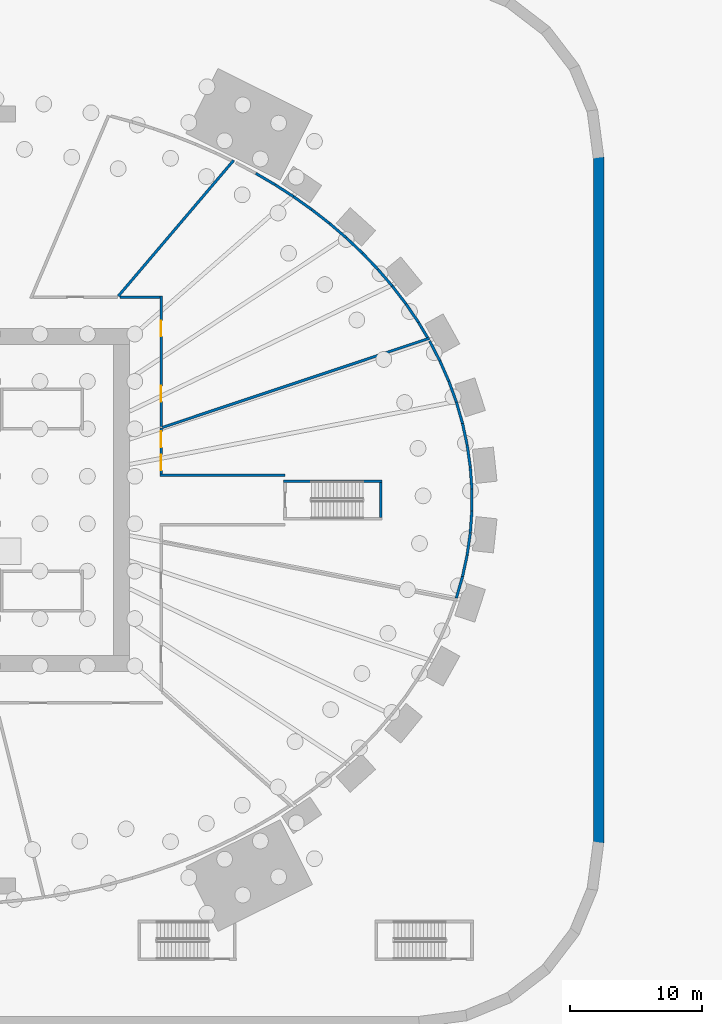
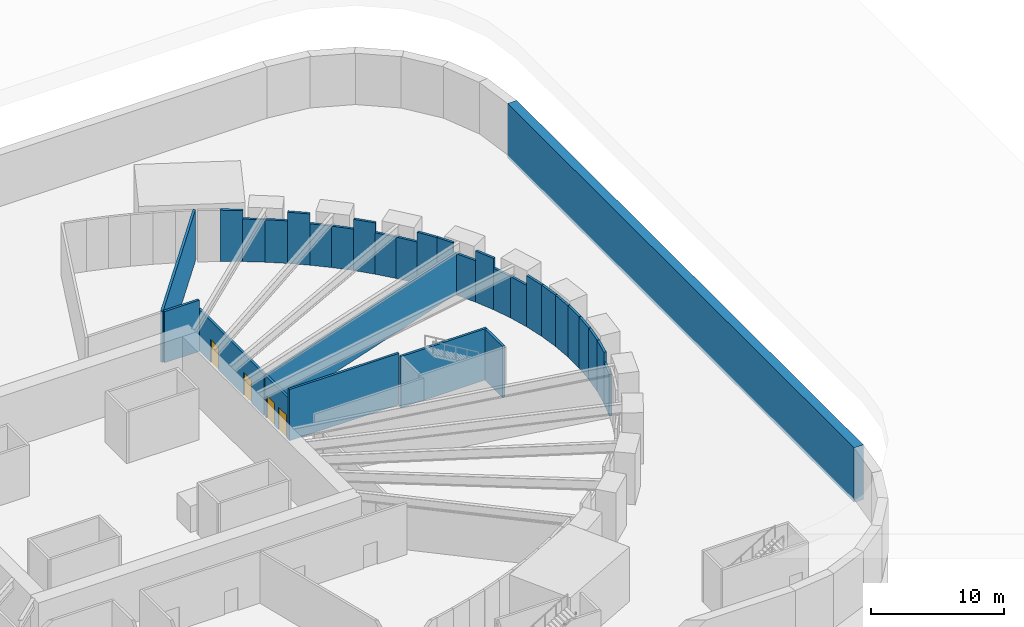
# One storey, part 6 of 14: 32 walls, 4 doors, 4 openings.
"""IFC4 building model written with IfcOpenShell, lengths in metres."""

import ifcopenshell
import ifcopenshell.guid

model = None  # the IFC model being written
_history = None  # IfcOwnerHistory: only IFC2X3 demands one
_inside = {}  # id of a spatial element -> (the spatial element, [elements in it])
_under = {}  # id of a project, library or spatial element -> (it, [spatial elements below it])
_declared = {}  # id of a project -> (the project, [libraries it declares])
_typed = {}  # id of a type object -> (the type object, [elements of that type])
_made_of = {}  # id of a material, layer set ... -> (it, [elements and type objects made of it])


def new_model(schema):
    """Start an empty IFC model of exactly this schema.

    Asked for "IFC4X3", IfcOpenShell would pick the latest addendum, in which some entities
    have other attributes; the version numbers below select the first issue.
    IFC2X3 requires an IfcOwnerHistory on every rooted entity: one is made here for all.
    """
    global model, _history
    if schema == "IFC4X3":
        model = ifcopenshell.file(schema_version=(4, 3, 0, 0))
    else:
        model = ifcopenshell.file(schema=schema)
    _inside.clear()
    _under.clear()
    _declared.clear()
    _typed.clear()
    _made_of.clear()
    _history = None
    if model.schema == "IFC2X3":
        org = make("IfcOrganization", Name="unknown")
        user = make(
            "IfcPersonAndOrganization",
            ThePerson=make("IfcPerson", FamilyName="unknown"),
            TheOrganization=org,
        )
        app = make(
            "IfcApplication",
            ApplicationDeveloper=org,
            Version="unknown",
            ApplicationFullName="unknown",
            ApplicationIdentifier="unknown",
        )
        _history = make(
            "IfcOwnerHistory",
            OwningUser=user,
            OwningApplication=app,
            ChangeAction="ADDED",
            CreationDate=0,
        )
    return model


def make(cls, **values):
    """One entity of the class cls with the attributes given. An attribute that is None is left unset."""
    return model.create_entity(
        cls, **{name: value for name, value in values.items() if value is not None}
    )


def rooted(cls, **values):
    """An entity with a GlobalId (a new one), such as an element, a storey or a relation."""
    return make(cls, GlobalId=ifcopenshell.guid.new(), OwnerHistory=_history, **values)


def si_unit(unit_type, name, prefix=None):
    """IfcSIUnit, for example si_unit("LENGTHUNIT", "METRE", prefix="MILLI")."""
    return make("IfcSIUnit", UnitType=unit_type, Prefix=prefix, Name=name)


def assignment(units):
    """IfcUnitAssignment: the units of a project."""
    return None if units is None else make("IfcUnitAssignment", Units=units)


def point(xyz):
    """IfcCartesianPoint."""
    return None if xyz is None else make("IfcCartesianPoint", Coordinates=xyz)


def direction(xyz):
    """IfcDirection."""
    return None if xyz is None else make("IfcDirection", DirectionRatios=xyz)


def frame(location, z_axis=None, x_axis=None):
    """IfcAxis2Placement3D, a coordinate frame: its origin and axes. An axis left out is left unset."""
    return make(
        "IfcAxis2Placement3D",
        Location=point(location),
        Axis=direction(z_axis),
        RefDirection=direction(x_axis),
    )


def frame_2d(location, x_axis=None):
    """IfcAxis2Placement2D, a coordinate frame in the plane: its origin and x axis."""
    return make(
        "IfcAxis2Placement2D", Location=point(location), RefDirection=direction(x_axis)
    )


def origin():
    """The frame at (0, 0, 0) with its axes left unset."""
    return frame((0.0, 0.0, 0.0))


def place(relative_to, where):
    """IfcLocalPlacement: puts the frame where relative to a parent placement (None: the world)."""
    return make(
        "IfcLocalPlacement", PlacementRelTo=relative_to, RelativePlacement=where
    )


def context(
    kind, dimensions, precision=None, world=None, true_north=None, identifier=None
):
    """IfcGeometricRepresentationContext, for example the 3D "Model" context."""
    return make(
        "IfcGeometricRepresentationContext",
        ContextIdentifier=identifier,
        ContextType=kind,
        CoordinateSpaceDimension=dimensions,
        Precision=precision,
        WorldCoordinateSystem=world,
        TrueNorth=true_north,
    )


def subcontext(parent, identifier, kind, view, scale=None):
    """IfcGeometricRepresentationSubContext, for example "Body" below "Model"."""
    return make(
        "IfcGeometricRepresentationSubContext",
        ContextIdentifier=identifier,
        ContextType=kind,
        ParentContext=parent,
        TargetScale=scale,
        TargetView=view,
    )


def project(units=None, contexts=None):
    """IfcProject with its units and contexts."""
    return rooted(
        "IfcProject",
        Name="project",
        RepresentationContexts=contexts,
        UnitsInContext=assignment(units),
    )


def spatial(cls, under=None, at=None, **own):
    """A site, building, storey or space (cls), placed at a placement, below another one or the project."""
    s = rooted(cls, ObjectPlacement=at, **own)
    if under is not None:
        _under.setdefault(under.id(), (under, []))[1].append(s)
    return s


def profile(cls, at=None, kind="AREA", **sizes):
    """A parametric profile (cls). Its sizes go by their IFC names, for example OverallWidth=200.0."""
    return make(cls, ProfileType=kind, Position=at, **sizes)


def rectangle(**sizes):
    """IfcRectangleProfileDef."""
    return profile("IfcRectangleProfileDef", **sizes)


def extrude(swept, where, along, depth):
    """IfcExtrudedAreaSolid: the profile swept, set in the frame where, extruded along a direction by depth."""
    return make(
        "IfcExtrudedAreaSolid",
        SweptArea=swept,
        Position=where,
        ExtrudedDirection=direction(along),
        Depth=depth,
    )


def shape(context_of_items, identifier, shape_type, items):
    """IfcShapeRepresentation: the items that make up one representation, for example the "Body"."""
    return make(
        "IfcShapeRepresentation",
        ContextOfItems=context_of_items,
        RepresentationIdentifier=identifier,
        RepresentationType=shape_type,
        Items=items,
    )


def source(mapping_origin, context_of_items, identifier, shape_type, items):
    """IfcRepresentationMap: a shape defined once, which mapped items show again and again."""
    return make(
        "IfcRepresentationMap",
        MappingOrigin=mapping_origin,
        MappedRepresentation=shape(context_of_items, identifier, shape_type, items),
    )


def transform(
    local_origin,
    x_axis=None,
    y_axis=None,
    z_axis=None,
    scale=None,
    scale2=None,
    scale3=None,
    uniform=True,
):
    """IfcCartesianTransformationOperator3D, or its non-uniform kind. x_axis, y_axis, z_axis: its Axis1, 2, 3."""
    if uniform:
        return make(
            "IfcCartesianTransformationOperator3D",
            Axis1=direction(x_axis),
            Axis2=direction(y_axis),
            LocalOrigin=point(local_origin),
            Scale=scale,
            Axis3=direction(z_axis),
        )
    return make(
        "IfcCartesianTransformationOperator3DnonUniform",
        Axis1=direction(x_axis),
        Axis2=direction(y_axis),
        LocalOrigin=point(local_origin),
        Scale=scale,
        Axis3=direction(z_axis),
        Scale2=scale2,
        Scale3=scale3,
    )


def mapped(mapping_source, mapping_target):
    """IfcMappedItem: shows the shape of a source again, moved by a transform."""
    return make(
        "IfcMappedItem", MappingSource=mapping_source, MappingTarget=mapping_target
    )


def material(Name=None, Category=None):
    """IfcMaterial."""
    return make("IfcMaterial", Name=Name, Category=Category)


def layer(
    of_material, thickness, ventilated=None, Name=None, Category=None, Priority=None
):
    """IfcMaterialLayer: one layer of a wall or slab, of a material (None: an air gap)."""
    return make(
        "IfcMaterialLayer",
        Material=of_material,
        LayerThickness=thickness,
        IsVentilated=ventilated,
        Name=Name,
        Category=Category,
        Priority=Priority,
    )


def layer_set(layers, Name=None):
    """IfcMaterialLayerSet."""
    return make("IfcMaterialLayerSet", MaterialLayers=layers, LayerSetName=Name)


def made_of(thing, what):
    """Note that an element or type object is made of a material, layer set ...; save() writes the relation."""
    if what is not None:
        _made_of.setdefault(what.id(), (what, []))[1].append(thing)
    return thing


def type_object(cls, material=None, **own):
    """A type object (cls), such as IfcWallType, which elements share."""
    return made_of(rooted(cls, **own), material)


def element(
    cls,
    number,
    at=None,
    inside=None,
    cuts=None,
    type_object=None,
    material=None,
    context=None,
    identifier="Body",
    shape_type=None,
    held_by="IfcProductDefinitionShape",
    body=None,
    shapes=None,
    **own,
):
    """One element of the class cls, such as IfcWall. Its Tag is "e" and its number.

    at: its placement. inside: the storey or other place that contains it. cuts: it is an
    opening in that element (IfcRelVoidsElement). A single representation is given by context,
    identifier, shape_type and body (its items); several are given by shapes. held_by: the class
    of the entity that holds the representations. save() writes the other relations.
    """
    e = rooted(cls, Tag="e%d" % number, ObjectPlacement=at, **own)
    if body is not None:
        shapes = [shape(context, identifier, shape_type, body)]
    if shapes is not None:
        e.Representation = make(held_by, Representations=shapes)
    if inside is not None:
        _inside.setdefault(inside.id(), (inside, []))[1].append(e)
    if cuts is not None:
        rooted(
            "IfcRelVoidsElement", RelatingBuildingElement=cuts, RelatedOpeningElement=e
        )
    if type_object is not None:
        _typed.setdefault(type_object.id(), (type_object, []))[1].append(e)
    return made_of(e, material)


def fill(opening, filler):
    """IfcRelFillsElement: the door or window that sits in an opening."""
    return rooted(
        "IfcRelFillsElement",
        RelatingOpeningElement=opening,
        RelatedBuildingElement=filler,
    )


def aggregate(whole, parts):
    """IfcRelAggregates: a whole, such as a stair, and the parts it consists of."""
    return rooted("IfcRelAggregates", RelatingObject=whole, RelatedObjects=parts)


def save(model, path):
    """Write the relations noted so far, then the file.

    IfcRelAggregates (storeys below a building ...), IfcRelContainedInSpatialStructure (elements
    in a storey), IfcRelDefinesByType, IfcRelAssociatesMaterial and IfcRelDeclares: one each for
    every whole, place, type object, material and project.
    """
    for whole, parts in _under.values():
        aggregate(whole, parts)
    for where, things in _inside.values():
        rooted(
            "IfcRelContainedInSpatialStructure",
            RelatedElements=things,
            RelatingStructure=where,
        )
    for kind, things in _typed.values():
        rooted("IfcRelDefinesByType", RelatedObjects=things, RelatingType=kind)
    for what, things in _made_of.values():
        rooted("IfcRelAssociatesMaterial", RelatedObjects=things, RelatingMaterial=what)
    for by, libraries in _declared.values():
        rooted("IfcRelDeclares", RelatingContext=by, RelatedDefinitions=libraries)
    model.write(path)


model = new_model("IFC4")

# Units and contexts
model_context = context("Model", 3, precision=1e-05, world=origin(), true_north=direction((0.0, 1.0)))
body_context = subcontext(model_context, "Body", "Model", "MODEL_VIEW")
ifc_project = project(units=[si_unit("LENGTHUNIT", "METRE"), si_unit("AREAUNIT", "SQUARE_METRE"), si_unit("VOLUMEUNIT", "CUBIC_METRE"), si_unit("PLANEANGLEUNIT", "RADIAN"), si_unit("MASSUNIT", "GRAM", prefix="KILO")], contexts=[model_context])

# Site, building, storey
site_placement = place(None, origin())
site = spatial("IfcSite", under=ifc_project, at=site_placement, CompositionType="ELEMENT")
building_placement = place(site_placement, origin())
building = spatial("IfcBuilding", under=site, at=building_placement, Name="Embergate Tower", CompositionType="ELEMENT")
storey_placement = place(building_placement, frame((0.0, 0.0, -10.0)))
storey = spatial("IfcBuildingStorey", under=building, at=storey_placement, Name="B2", CompositionType="ELEMENT", Elevation=-10.0)

# Walls
ifc_material_1 = material(Name="Concrete C40", Category="concrete")
ifc_layer_1 = layer(ifc_material_1, 0.800048828125)
ifc_layer_set_1 = layer_set([ifc_layer_1], Name="Concrete C40")
wall_type_1 = type_object("IfcWallType", Name="Basement retaining wall C40 800", PredefinedType="SOLIDWALL", material=ifc_layer_set_1)
shared_shape_1 = source(origin(), body_context, "Body", "SweptSolid", [
    extrude(rectangle(XDim=52.0517578125, YDim=0.800048828125, at=frame_2d((26.02587890625, 0.0))), origin(), (0.0, 0.0, 1.0), 5.0),
])
wall_1_placement = place(storey_placement, frame((49.60009765625, -26.02587890625, -0.300048828125), z_axis=(0.0, 0.0, 1.0), x_axis=(0.0, 1.0, 0.0)))
element("IfcWall", 1, at=wall_1_placement, inside=storey, type_object=wall_type_1, Name="RWL-B2-027", PredefinedType="SOLIDWALL", context=body_context, shape_type="MappedRepresentation", body=[
    mapped(shared_shape_1, transform((0.0, 0.0, 0.0))),
])
ifc_layer_2 = layer(ifc_material_1, 0.199951171875)
ifc_layer_set_2 = layer_set([ifc_layer_2], Name="Concrete C40")
wall_type_2 = type_object("IfcWallType", Name="Stair enclosure wall RC 200", PredefinedType="STANDARD", material=ifc_layer_set_2)
shared_shape_2 = source(origin(), body_context, "Body", "SweptSolid", [
    extrude(rectangle(XDim=2.64990234375, YDim=0.199951171875, at=frame_2d((1.324951171875, 0.0))), origin(), (0.0, 0.0, 1.0), 4.699951171875),
])
wall_2_placement = place(storey_placement, frame((33.070068359375, 1.324951171875, 0.0), z_axis=(0.0, 0.0, 1.0), x_axis=(0.0, -1.0, 0.0)))
element("IfcWall", 2, at=wall_2_placement, inside=storey, type_object=wall_type_2, Name="Stair wall 150", PredefinedType="STANDARD", context=body_context, shape_type="MappedRepresentation", body=[
    mapped(shared_shape_2, transform((0.0, 0.0, 0.0))),
])
ifc_material_2 = material(Name="Blockwork, plastered", Category="masonry")
ifc_layer_3 = layer(ifc_material_2, 0.199951171875)
ifc_layer_set_3 = layer_set([ifc_layer_3], Name="Blockwork, plastered")
wall_type_3 = type_object("IfcWallType", Name="Fire partition wall 200 block", PredefinedType="PARTITIONING", material=ifc_layer_set_3)
shared_shape_3 = source(origin(), body_context, "Body", "SweptSolid", [
    extrude(rectangle(XDim=1.68212890625, YDim=0.199951171875, at=frame_2d((0.841064453125, 0.0))), origin(), (0.0, 0.0, 1.0), 4.699951171875),
])
wall_3_placement = place(storey_placement, frame((39.985107421875, 0.841064453125, 0.0), z_axis=(0.0, 0.0, 1.0), x_axis=(0.0, -1.0, 0.0)))
element("IfcWall", 3, at=wall_3_placement, inside=storey, type_object=wall_type_3, Name="Partition 172", PredefinedType="PARTITIONING", context=body_context, shape_type="MappedRepresentation", body=[
    mapped(shared_shape_3, transform((0.0, 0.0, 0.0))),
])
shared_shape_4 = source(origin(), body_context, "Body", "SweptSolid", [
    extrude(rectangle(XDim=1.682373046875, YDim=0.199951171875, at=frame_2d((0.84130859375, 0.0))), origin(), (0.0, 0.0, 1.0), 4.699951171875),
])
for number, where, z_axis, x_axis, name in (
    (4, (39.864990234375, 2.51904296875, 0.0), (0.0, 0.0, 1.0), (0.071401751452, -0.997447637668, 0.0), "Partition 170"),
    (5, (39.985107421875, -0.841064453125, 0.0), (0.0, 0.0, 1.0), (-0.071401751452, -0.997447637668, 0.0), "Partition 171"),
):
    element("IfcWall", number, at=place(storey_placement, frame(where, z_axis=z_axis, x_axis=x_axis)), inside=storey, type_object=wall_type_3, Name=name, PredefinedType="PARTITIONING", context=body_context, shape_type="MappedRepresentation", body=[
        mapped(shared_shape_4, transform((0.0, 0.0, 0.0))),
    ])
shared_shape_5 = source(origin(), body_context, "Body", "SweptSolid", [
    extrude(rectangle(XDim=1.673828125, YDim=0.199951171875, at=frame_2d((0.8369140625, 0.0))), origin(), (0.0, 0.0, 1.0), 4.699951171875),
])
for number, where, z_axis, x_axis, name in (
    (6, (39.6279296875, 4.176025390625, 0.0), (0.0, 0.0, 1.0), (0.141625550727, -0.98992030153, 0.0), "Partition 168"),
    (7, (39.864990234375, -2.51904296875, 0.0), (0.0, 0.0, 1.0), (-0.141625550727, -0.98992030153, 0.0), "Partition 169"),
):
    element("IfcWall", number, at=place(storey_placement, frame(where, z_axis=z_axis, x_axis=x_axis)), inside=storey, type_object=wall_type_3, Name=name, PredefinedType="PARTITIONING", context=body_context, shape_type="MappedRepresentation", body=[
        mapped(shared_shape_5, transform((0.0, 0.0, 0.0))),
    ])
shared_shape_6 = source(origin(), body_context, "Body", "SweptSolid", [
    extrude(rectangle(XDim=1.681640625, YDim=0.199951171875, at=frame_2d((0.8408203125, 0.0))), origin(), (0.0, 0.0, 1.0), 4.699951171875),
])
for number, where, z_axis, x_axis, name in (
    (8, (39.27392578125, 5.820068359375, 0.0), (0.0, 0.0, 1.0), (0.210500580909, -0.977593732303, 0.0), "Partition 166"),
    (9, (39.6279296875, -4.176025390625, 0.0), (0.0, 0.0, 1.0), (-0.210500580909, -0.977593732303, 0.0), "Partition 167"),
):
    element("IfcWall", number, at=place(storey_placement, frame(where, z_axis=z_axis, x_axis=x_axis)), inside=storey, type_object=wall_type_3, Name=name, PredefinedType="PARTITIONING", context=body_context, shape_type="MappedRepresentation", body=[
        mapped(shared_shape_6, transform((0.0, 0.0, 0.0))),
    ])
shared_shape_7 = source(origin(), body_context, "Body", "SweptSolid", [
    extrude(rectangle(XDim=1.693359375, YDim=0.199951171875, at=frame_2d((0.8466796875, 0.0))), origin(), (0.0, 0.0, 1.0), 3.800048828125),
])
for number, where, z_axis, x_axis, name in (
    (10, (38.803955078125, 7.447021484375, 0.0), (0.0, 0.0, 1.0), (0.277518954401, -0.960720162143, 0.0), "Partition 164"),
    (11, (39.27392578125, -5.820068359375, 0.0), (0.0, 0.0, 1.0), (-0.277518954401, -0.960720162143, 0.0), "Partition 165"),
):
    element("IfcWall", number, at=place(storey_placement, frame(where, z_axis=z_axis, x_axis=x_axis)), inside=storey, type_object=wall_type_3, Name=name, PredefinedType="PARTITIONING", context=body_context, shape_type="MappedRepresentation", body=[
        mapped(shared_shape_7, transform((0.0, 0.0, 0.0))),
    ])
shared_shape_8 = source(origin(), body_context, "Body", "SweptSolid", [
    extrude(rectangle(XDim=1.66650390625, YDim=0.199951171875, at=frame_2d((0.833251953125, 0.0))), origin(), (0.0, 0.0, 1.0), 3.800048828125),
])
wall_4_placement = place(storey_placement, frame((38.236083984375, 9.013916015625, 0.0), z_axis=(0.0, 0.0, 1.0), x_axis=(0.340731348686, -0.940160703296, 0.0)))
element("IfcWall", 12, at=wall_4_placement, inside=storey, type_object=wall_type_3, Name="Partition 162", PredefinedType="PARTITIONING", context=body_context, shape_type="MappedRepresentation", body=[
    mapped(shared_shape_8, transform((0.0, 0.0, 0.0))),
])
shared_shape_9 = source(origin(), body_context, "Body", "SweptSolid", [
    extrude(rectangle(XDim=1.68408203125, YDim=0.199951171875, at=frame_2d((0.842041015625, 0.0))), origin(), (0.0, 0.0, 1.0), 4.699951171875),
])
wall_5_placement = place(storey_placement, frame((37.55908203125, 10.555908203125, 0.0), z_axis=(0.0, 0.0, 1.0), x_axis=(0.402004884465, -0.91563752264, 0.0)))
element("IfcWall", 13, at=wall_5_placement, inside=storey, type_object=wall_type_3, Name="Partition 160", PredefinedType="PARTITIONING", context=body_context, shape_type="MappedRepresentation", body=[
    mapped(shared_shape_9, transform((0.0, 0.0, 0.0))),
])
shared_shape_10 = source(origin(), body_context, "Body", "SweptSolid", [
    extrude(rectangle(XDim=1.703369140625, YDim=0.199951171875, at=frame_2d((0.8515625, 0.0))), origin(), (0.0, 0.0, 1.0), 3.800048828125),
])
wall_6_placement = place(storey_placement, frame((36.777099609375, 12.069091796875, 0.0), z_axis=(0.0, 0.0, 1.0), x_axis=(0.459099243657, -0.888384986632, 0.0)))
element("IfcWall", 14, at=wall_6_placement, inside=storey, type_object=wall_type_3, Name="Partition 158", PredefinedType="PARTITIONING", context=body_context, shape_type="MappedRepresentation", body=[
    mapped(shared_shape_10, transform((0.0, 0.0, 0.0))),
])
shared_shape_11 = source(origin(), body_context, "Body", "SweptSolid", [
    extrude(rectangle(XDim=1.686767578125, YDim=0.199951171875, at=frame_2d((0.84326171875, 0.0))), origin(), (0.0, 0.0, 1.0), 4.699951171875),
])
wall_7_placement = place(storey_placement, frame((34.97607421875, 14.89306640625, 0.0), z_axis=(0.0, 0.0, 1.0), x_axis=(0.562060565022, -0.827096077398, 0.0)))
element("IfcWall", 15, at=wall_7_placement, inside=storey, type_object=wall_type_3, Name="Partition 154", PredefinedType="PARTITIONING", context=body_context, shape_type="MappedRepresentation", body=[
    mapped(shared_shape_11, transform((0.0, 0.0, 0.0))),
])
shared_shape_12 = source(origin(), body_context, "Body", "SweptSolid", [
    extrude(rectangle(XDim=1.7080078125, YDim=0.199951171875, at=frame_2d((0.85400390625, 0.0))), origin(), (0.0, 0.0, 1.0), 3.800048828125),
])
wall_8_placement = place(storey_placement, frame((33.93603515625, 16.248046875, 0.0), z_axis=(0.0, 0.0, 1.0), x_axis=(0.608881540083, -0.793261161375, 0.0)))
element("IfcWall", 16, at=wall_8_placement, inside=storey, type_object=wall_type_3, Name="Partition 152", PredefinedType="PARTITIONING", context=body_context, shape_type="MappedRepresentation", body=[
    mapped(shared_shape_12, transform((0.0, 0.0, 0.0))),
])
shared_shape_13 = source(origin(), body_context, "Body", "SweptSolid", [
    extrude(rectangle(XDim=7.469970703125, YDim=0.199951171875, at=frame_2d((3.73486328125, 0.0))), origin(), (0.0, 0.0, 1.0), 4.699951171875),
])
wall_9_placement = place(storey_placement, frame((25.699951171875, 1.425048828125, 0.0), z_axis=(0.0, 0.0, 1.0), x_axis=(1.0, 0.0, 0.0)))
element("IfcWall", 17, at=wall_9_placement, inside=storey, type_object=wall_type_2, Name="Stair wall 133", PredefinedType="STANDARD", context=body_context, shape_type="MappedRepresentation", body=[
    mapped(shared_shape_13, transform((0.0, 0.0, 0.0))),
])
shared_shape_14 = source(origin(), body_context, "Body", "SweptSolid", [
    extrude(rectangle(XDim=1.665771484375, YDim=0.199951171875, at=frame_2d((0.8330078125, 0.0))), origin(), (0.0, 0.0, 1.0), 3.800048828125),
])
wall_10_placement = place(storey_placement, frame((32.85107421875, 17.511962890625, 0.0), z_axis=(0.0, 0.0, 1.0), x_axis=(0.651346432012, -0.758780485717, 0.0)))
element("IfcWall", 18, at=wall_10_placement, inside=storey, type_object=wall_type_3, Name="Partition 148", PredefinedType="PARTITIONING", context=body_context, shape_type="MappedRepresentation", body=[
    mapped(shared_shape_14, transform((0.0, 0.0, 0.0))),
])
shared_shape_15 = source(origin(), body_context, "Body", "SweptSolid", [
    extrude(rectangle(XDim=1.68896484375, YDim=0.199951171875, at=frame_2d((0.844482421875, 0.0))), origin(), (0.0, 0.0, 1.0), 4.699951171875),
])
wall_11_placement = place(storey_placement, frame((31.68505859375, 18.73388671875, 0.0), z_axis=(0.0, 0.0, 1.0), x_axis=(0.690362287373, -0.723463829209, 0.0)))
element("IfcWall", 19, at=wall_11_placement, inside=storey, type_object=wall_type_3, Name="Partition 143", PredefinedType="PARTITIONING", context=body_context, shape_type="MappedRepresentation", body=[
    mapped(shared_shape_15, transform((0.0, 0.0, 0.0))),
])
shared_shape_16 = source(origin(), body_context, "Body", "SweptSolid", [
    extrude(rectangle(XDim=1.711181640625, YDim=0.199951171875, at=frame_2d((0.85546875, 0.0))), origin(), (0.0, 0.0, 1.0), 3.800048828125),
])
wall_12_placement = place(storey_placement, frame((30.443115234375, 19.910888671875, 0.0), z_axis=(0.0, 0.0, 1.0), x_axis=(0.725828944037, -0.687875238687, 0.0)))
element("IfcWall", 20, at=wall_12_placement, inside=storey, type_object=wall_type_3, Name="Partition 141", PredefinedType="PARTITIONING", context=body_context, shape_type="MappedRepresentation", body=[
    mapped(shared_shape_16, transform((0.0, 0.0, 0.0))),
])
shared_shape_17 = source(origin(), body_context, "Body", "SweptSolid", [
    extrude(rectangle(XDim=1.669677734375, YDim=0.199951171875, at=frame_2d((0.8349609375, 0.0))), origin(), (0.0, 0.0, 1.0), 3.800048828125),
])
wall_13_placement = place(storey_placement, frame((29.176025390625, 20.998046875, 0.0), z_axis=(0.0, 0.0, 1.0), x_axis=(0.75893652375, -0.651164612766, 0.0)))
element("IfcWall", 21, at=wall_13_placement, inside=storey, type_object=wall_type_3, Name="Partition 139", PredefinedType="PARTITIONING", context=body_context, shape_type="MappedRepresentation", body=[
    mapped(shared_shape_17, transform((0.0, 0.0, 0.0))),
])
shared_shape_18 = source(origin(), body_context, "Body", "SweptSolid", [
    extrude(rectangle(XDim=1.68994140625, YDim=0.199951171875, at=frame_2d((0.844970703125, 0.0))), origin(), (0.0, 0.0, 1.0), 4.699951171875),
])
wall_14_placement = place(storey_placement, frame((27.843994140625, 22.0380859375, 0.0), z_axis=(0.0, 0.0, 1.0), x_axis=(0.788199556762, -0.6154197419, 0.0)))
element("IfcWall", 22, at=wall_14_placement, inside=storey, type_object=wall_type_3, Name="Partition 137", PredefinedType="PARTITIONING", context=body_context, shape_type="MappedRepresentation", body=[
    mapped(shared_shape_18, transform((0.0, 0.0, 0.0))),
])
shared_shape_19 = source(origin(), body_context, "Body", "SweptSolid", [
    extrude(rectangle(XDim=1.71142578125, YDim=0.199951171875, at=frame_2d((0.855712890625, 0.0))), origin(), (0.0, 0.0, 1.0), 3.89990234375),
])
wall_15_placement = place(storey_placement, frame((26.447998046875, 23.028076171875, 0.0), z_axis=(0.0, 0.0, 1.0), x_axis=(0.81570474183, -0.578468472914, 0.0)))
element("IfcWall", 23, at=wall_15_placement, inside=storey, type_object=wall_type_3, Name="Partition 135", PredefinedType="PARTITIONING", context=body_context, shape_type="MappedRepresentation", body=[
    mapped(shared_shape_19, transform((0.0, 0.0, 0.0))),
])
shared_shape_20 = source(origin(), body_context, "Body", "SweptSolid", [
    extrude(rectangle(XDim=1.6728515625, YDim=0.199951171875, at=frame_2d((0.83642578125, 0.0))), origin(), (0.0, 0.0, 1.0), 3.89990234375),
])
wall_16_placement = place(storey_placement, frame((25.04296875, 23.93603515625, 0.0), z_axis=(0.0, 0.0, 1.0), x_axis=(0.83989108096, -0.542754983508, 0.0)))
element("IfcWall", 24, at=wall_16_placement, inside=storey, type_object=wall_type_3, Name="Partition 130", PredefinedType="PARTITIONING", context=body_context, shape_type="MappedRepresentation", body=[
    mapped(shared_shape_20, transform((0.0, 0.0, 0.0))),
])
shared_shape_21 = source(origin(), body_context, "Body", "SweptSolid", [
    extrude(rectangle(XDim=9.5, YDim=0.199951171875, at=frame_2d((4.75, 0.0))), origin(), (0.0, 0.0, 1.0), 4.699951171875),
])
wall_17_placement = place(storey_placement, frame((16.300048828125, 1.875, 0.0), z_axis=(0.0, 0.0, 1.0), x_axis=(1.0, 0.0, 0.0)))
element("IfcWall", 25, at=wall_17_placement, inside=storey, type_object=wall_type_3, Name="Partition 114", PredefinedType="PARTITIONING", context=body_context, shape_type="MappedRepresentation", body=[
    mapped(shared_shape_21, transform((0.0, 0.0, 0.0))),
])
shared_shape_22 = source(origin(), body_context, "Body", "SweptSolid", [
    extrude(rectangle(XDim=1.691162109375, YDim=0.199951171875, at=frame_2d((0.845703125, 0.0))), origin(), (0.0, 0.0, 1.0), 4.699951171875),
])
wall_18_placement = place(storey_placement, frame((23.5849609375, 24.79296875, 0.0), z_axis=(0.0, 0.0, 1.0), x_axis=(0.862119710522, -0.506704652366, 0.0)))
element("IfcWall", 26, at=wall_18_placement, inside=storey, type_object=wall_type_3, Name="Partition 128", PredefinedType="PARTITIONING", context=body_context, shape_type="MappedRepresentation", body=[
    mapped(shared_shape_22, transform((0.0, 0.0, 0.0))),
])
shared_shape_23 = source(origin(), body_context, "Body", "SweptSolid", [
    extrude(rectangle(XDim=3.01806640625, YDim=0.199951171875, at=frame_2d((1.509033203125, 0.0))), origin(), (0.0, 0.0, 1.0), 4.699951171875),
])
wall_19_placement = place(storey_placement, frame((13.281982421875, 15.39990234375, 0.0), z_axis=(0.0, 0.0, 1.0), x_axis=(1.0, 0.0, 0.0)))
element("IfcWall", 27, at=wall_19_placement, inside=storey, type_object=wall_type_3, Name="Partition 100", PredefinedType="PARTITIONING", context=body_context, shape_type="MappedRepresentation", body=[
    mapped(shared_shape_23, transform((0.0, 0.0, 0.0))),
])
shared_shape_24 = source(origin(), body_context, "Body", "SweptSolid", [
    extrude(rectangle(XDim=13.530517578125, YDim=0.199951171875, at=frame_2d((6.76513671875, 0.0))), origin(), (0.0, 0.0, 1.0), 4.699951171875),
])
wall_20_placement = place(storey_placement, frame((13.14697265625, 15.47607421875, 0.0), z_axis=(0.0, 0.0, 1.0), x_axis=(0.647425268741, 0.762128940138, 0.0)))
element("IfcWall", 28, at=wall_20_placement, inside=storey, type_object=wall_type_3, Name="Partition 101", PredefinedType="PARTITIONING", context=body_context, shape_type="MappedRepresentation", body=[
    mapped(shared_shape_24, transform((0.0, 0.0, 0.0))),
])

# Wall, openings, doors
shared_shape_25 = source(origin(), body_context, "Body", "SweptSolid", [
    extrude(rectangle(XDim=3.5009765625, YDim=0.199951171875, at=frame_2d((1.75048828125, 0.0))), origin(), (0.0, 0.0, 1.0), 3.800048828125),
])
wall_21_placement = place(storey_placement, frame((16.39990234375, 5.47607421875, 0.0), z_axis=(0.0, 0.0, 1.0), x_axis=(0.0, -1.0, 0.0)))
wall_21 = element("IfcWall", 29, at=wall_21_placement, inside=storey, type_object=wall_type_3, Name="Partition 115", PredefinedType="PARTITIONING", context=body_context, shape_type="MappedRepresentation", body=[
    mapped(shared_shape_25, transform((0.0, 0.0, 0.0))),
])
shared_shape_26 = source(origin(), body_context, "Body", "SweptSolid", [
    extrude(rectangle(XDim=1.199951171875, YDim=2.10009765625, at=frame_2d((0.60009765625, 1.050048828125))), frame((0.0, 0.10986328125, 0.0), z_axis=(0.0, -1.0, 0.0), x_axis=(1.0, 0.0, 0.0)), (0.0, 0.0, 1.0), 0.219970703125),
])
opening_1_placement = place(wall_21_placement, frame((0.27490234375, 0.0, 0.0)))
opening_1 = element("IfcOpeningElement", 30, at=opening_1_placement, cuts=wall_21, Name="Opening DS-331", PredefinedType="OPENING", context=body_context, shape_type="MappedRepresentation", body=[
    mapped(shared_shape_26, transform((0.0, 0.0, 0.0))),
])
opening_2_placement = place(wall_21_placement, frame((2.02587890625, 0.0, 0.0)))
opening_2 = element("IfcOpeningElement", 31, at=opening_2_placement, cuts=wall_21, Name="Opening DS-332", PredefinedType="OPENING", context=body_context, shape_type="MappedRepresentation", body=[
    mapped(shared_shape_26, transform((0.0, 0.0, 0.0))),
])
ifc_material_3 = material(Name="Timber door leaf, steel frame", Category="steel")
door_type = type_object("IfcDoorType", Name="Plant door 1200x2100", OperationType="SINGLE_SWING_LEFT", PredefinedType="DOOR", material=ifc_material_3)
shared_shape_27 = source(origin(), body_context, "Body", "SweptSolid", [
    extrude(rectangle(XDim=1.199951171875, YDim=2.10009765625, at=frame_2d((0.60009765625, 1.050048828125))), frame((0.0, 0.02490234375, 0.0), z_axis=(0.0, -1.0, 0.0), x_axis=(1.0, 0.0, 0.0)), (0.0, 0.0, 1.0), 0.050048828125),
])
door_1_placement = place(opening_1_placement, origin())
door_1 = element("IfcDoor", 32, at=door_1_placement, inside=storey, type_object=door_type, Name="Door to Air handling plant room", OperationType="SINGLE_SWING_LEFT", OverallHeight=2.10009765625, OverallWidth=1.199951171875, PredefinedType="DOOR", context=body_context, shape_type="MappedRepresentation", body=[
    mapped(shared_shape_27, transform((0.0, 0.0, 0.0))),
])
fill(opening_1, door_1)
door_2_placement = place(opening_2_placement, origin())
door_2 = element("IfcDoor", 33, at=door_2_placement, inside=storey, type_object=door_type, Name="Door to Air handling plant room", OperationType="SINGLE_SWING_LEFT", OverallHeight=2.10009765625, OverallWidth=1.199951171875, PredefinedType="DOOR", context=body_context, shape_type="MappedRepresentation", body=[
    mapped(shared_shape_27, transform((0.0, 0.0, 0.0))),
])
fill(opening_2, door_2)

# Wall
shared_shape_28 = source(origin(), body_context, "Body", "SweptSolid", [
    extrude(rectangle(XDim=21.37158203125, YDim=0.199951171875, at=frame_2d((10.685791015625, 0.0))), origin(), (0.0, 0.0, 1.0), 3.800048828125),
])
wall_22_placement = place(storey_placement, frame((16.4951171875, 5.508056640625, 0.0), z_axis=(0.0, 0.0, 1.0), x_axis=(0.948500362205, 0.316776045332, 0.0)))
element("IfcWall", 34, at=wall_22_placement, inside=storey, type_object=wall_type_3, Name="Partition 116", PredefinedType="PARTITIONING", context=body_context, shape_type="MappedRepresentation", body=[
    mapped(shared_shape_28, transform((0.0, 0.0, 0.0))),
])

# Wall, openings, doors
shared_shape_29 = source(origin(), body_context, "Body", "SweptSolid", [
    extrude(rectangle(XDim=9.904052734375, YDim=0.199951171875, at=frame_2d((4.9521484375, 0.0))), origin(), (0.0, 0.0, 1.0), 3.800048828125),
])
wall_23_placement = place(storey_placement, frame((16.39990234375, 15.5, 0.0), z_axis=(0.0, 0.0, 1.0), x_axis=(0.0, -1.0, 0.0)))
wall_23 = element("IfcWall", 35, at=wall_23_placement, inside=storey, type_object=wall_type_3, Name="Partition 117", PredefinedType="PARTITIONING", context=body_context, shape_type="MappedRepresentation", body=[
    mapped(shared_shape_29, transform((0.0, 0.0, 0.0))),
])
opening_3_placement = place(wall_23_placement, frame((1.8759765625, 0.0, 0.0)))
opening_3 = element("IfcOpeningElement", 36, at=opening_3_placement, cuts=wall_23, Name="Opening DS-333", PredefinedType="OPENING", context=body_context, shape_type="MappedRepresentation", body=[
    mapped(shared_shape_26, transform((0.0, 0.0, 0.0))),
])
opening_4_placement = place(wall_23_placement, frame((6.827880859375, 0.0, 0.0)))
opening_4 = element("IfcOpeningElement", 37, at=opening_4_placement, cuts=wall_23, Name="Opening DS-334", PredefinedType="OPENING", context=body_context, shape_type="MappedRepresentation", body=[
    mapped(shared_shape_26, transform((0.0, 0.0, 0.0))),
])
door_3_placement = place(opening_3_placement, origin())
door_3 = element("IfcDoor", 38, at=door_3_placement, inside=storey, type_object=door_type, Name="Door to Battery and UPS room", OperationType="SINGLE_SWING_LEFT", OverallHeight=2.10009765625, OverallWidth=1.199951171875, PredefinedType="DOOR", context=body_context, shape_type="MappedRepresentation", body=[
    mapped(shared_shape_27, transform((0.0, 0.0, 0.0))),
])
fill(opening_3, door_3)
door_4_placement = place(opening_4_placement, origin())
door_4 = element("IfcDoor", 39, at=door_4_placement, inside=storey, type_object=door_type, Name="Door to Battery and UPS room", OperationType="SINGLE_SWING_LEFT", OverallHeight=2.10009765625, OverallWidth=1.199951171875, PredefinedType="DOOR", context=body_context, shape_type="MappedRepresentation", body=[
    mapped(shared_shape_27, transform((0.0, 0.0, 0.0))),
])
fill(opening_4, door_4)

# Wall
shared_shape_30 = source(origin(), body_context, "Body", "SweptSolid", [
    extrude(rectangle(XDim=1.348388671875, YDim=0.199951171875, at=frame_2d((0.67431640625, 0.0))), origin(), (0.0, 0.0, 1.0), 4.699951171875),
])
wall_24_placement = place(storey_placement, frame((35.924072265625, 13.498046875, 0.0), z_axis=(0.0, 0.0, 1.0), x_axis=(0.512390753437, -0.858752418216, 0.0)))
element("IfcWall", 40, at=wall_24_placement, inside=storey, type_object=wall_type_3, Name="Partition 156", PredefinedType="PARTITIONING", context=body_context, shape_type="MappedRepresentation", body=[
    mapped(shared_shape_30, transform((0.0, 0.0, 0.0))),
])

save(model, "model.ifc")
